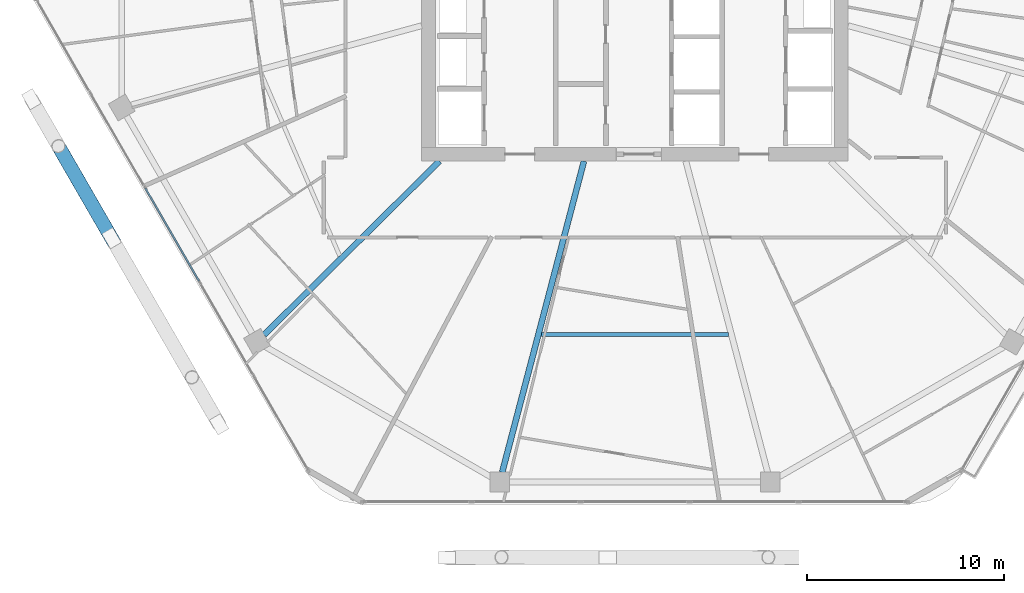
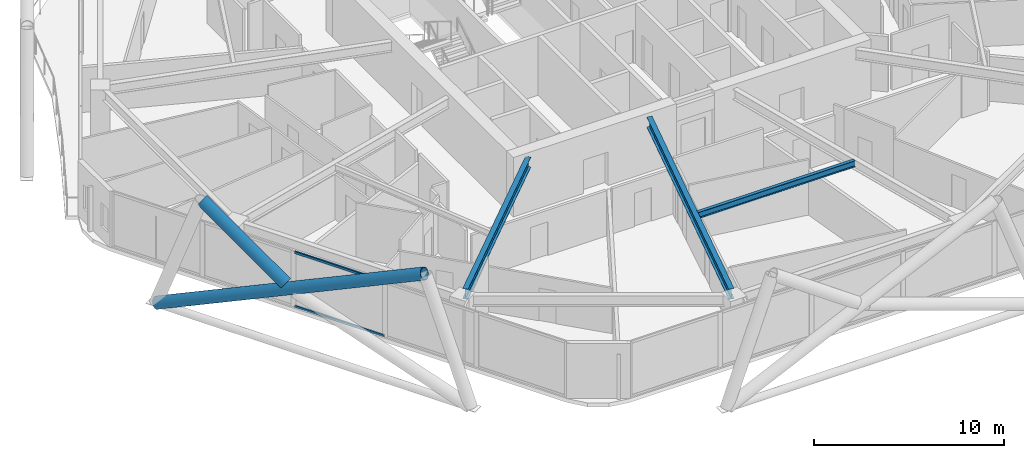
# One storey, part 5 of 30: 4 members, 3 beams, 1 element without a shape of its own.
"""IFC4 building model written with IfcOpenShell, lengths in metres."""

from ifc_helpers import new_model, si_unit, direction, frame, origin, origin_2d, place, context, subcontext, project, spatial, hollow_rectangle, hollow_circle, i_section, extrude, material, material_profile, profile_set, type_object, element, aggregate, save


model = new_model("IFC4")

# Units and contexts
model_context = context("Model", 3, precision=1e-05, world=origin(), true_north=direction((0.0, 1.0)))
body_context = subcontext(model_context, "Body", "Model", "MODEL_VIEW")
ifc_project = project(units=[si_unit("LENGTHUNIT", "METRE"), si_unit("AREAUNIT", "SQUARE_METRE"), si_unit("VOLUMEUNIT", "CUBIC_METRE"), si_unit("PLANEANGLEUNIT", "RADIAN"), si_unit("MASSUNIT", "GRAM", prefix="KILO")], contexts=[model_context])

# Site, building, storey
site_placement = place(None, origin())
site = spatial("IfcSite", under=ifc_project, at=site_placement, CompositionType="ELEMENT")
building_placement = place(site_placement, origin())
building = spatial("IfcBuilding", under=site, at=building_placement, Name="Zuhravey Tower", CompositionType="ELEMENT")
storey_placement = place(building_placement, frame((0.0, 0.0, 177.0)))
storey = spatial("IfcBuildingStorey", under=building, at=storey_placement, Name="L44", CompositionType="ELEMENT", Elevation=177.0)

# Curtain wall, members
ifc_material_1 = material(Name="Thermally broken anodised aluminium", Category="aluminium")
curtain_wall_type = type_object("IfcCurtainWallType", Name="Zone 1-2 Residential Curtain Wall CW3", PredefinedType="NOTDEFINED", material=ifc_material_1)
curtain_wall_placement = place(storey_placement, origin())
curtain_wall = element("IfcCurtainWall", 1, at=curtain_wall_placement, inside=storey, type_object=curtain_wall_type, Name="L44 CW3 CW-L44-F4-1", PredefinedType="NOTDEFINED")
ifc_material_2 = material(Name="Anodised aluminium", Category="aluminium")
ifc_material_profile_1 = material_profile(ifc_material_2, hollow_rectangle(XDim=0.090087890625, YDim=0.14990234375, WallThickness=0.0048828125, at=origin_2d()), Name="ALU-RHS-90x150x5")
ifc_profile_set_1 = profile_set([ifc_material_profile_1], Name="Anodised aluminium")
member_type_1 = type_object("IfcMemberType", Name="Curtain-Wall Transom 90x150", PredefinedType="USERDEFINED", material=ifc_profile_set_1)
member_1_placement = place(storey_placement, frame((13.822265625, 16.046630859375, 0.044921875), z_axis=(-0.499980763544, 0.866036509673, 0.0), x_axis=(-0.866036509673, -0.499980763544, 0.0)))
member_1 = element("IfcMember", 2, at=member_1_placement, type_object=member_type_1, Name="CW3 transom 3.1", ObjectType="TRANSOM", PredefinedType="USERDEFINED", context=body_context, shape_type="SweptSolid", body=[
    extrude(hollow_rectangle(XDim=0.090087890625, YDim=0.14990234375, WallThickness=0.0048828125, at=origin_2d()), origin(), (0.0, 0.0, 1.0), 5.454345703125),
])
member_2_placement = place(storey_placement, frame((13.822265625, 16.046630859375, 3.5048828125), z_axis=(-0.499980763544, 0.866036509673, 0.0), x_axis=(-0.866036509673, -0.499980763544, 0.0)))
member_2 = element("IfcMember", 3, at=member_2_placement, type_object=member_type_1, Name="CW3 transom 3.2", ObjectType="TRANSOM", PredefinedType="USERDEFINED", context=body_context, shape_type="SweptSolid", body=[
    extrude(hollow_rectangle(XDim=0.090087890625, YDim=0.14990234375, WallThickness=0.0048828125, at=origin_2d()), origin(), (0.0, 0.0, 1.0), 5.454345703125),
])
aggregate(curtain_wall, [member_1, member_2])

# Members
ifc_material_3 = material(Name="Steel SM460", Category="steel")
ifc_material_profile_2 = material_profile(ifc_material_3, hollow_circle(Radius=0.355712890625, WallThickness=0.031982421875, at=origin_2d()), Name="CHS-711.2x32")
ifc_profile_set_2 = profile_set([ifc_material_profile_2], Name="Steel SM460")
member_type_2 = type_object("IfcMemberType", Name="Exoskeleton Zone 2 Diagrid CHS711x32", PredefinedType="BRACE", material=ifc_profile_set_2)
member_3_placement = place(storey_placement, frame((5.3125, 25.26611328125, -0.444091796875), z_axis=(0.453338388553, -0.785209877744, 0.421817203724), x_axis=(0.866026715089, 0.499997728747, 0.0)))
element("IfcMember", 4, at=member_3_placement, inside=storey, type_object=member_type_2, Name="L44 Face 4 Diagrid Brace 2", PredefinedType="BRACE", context=body_context, shape_type="SweptSolid", body=[
    extrude(hollow_circle(Radius=0.355712890625, WallThickness=0.031982421875, at=origin_2d()), origin(), (0.0, 0.0, 1.0), 17.922607421875),
])
member_4_placement = place(storey_placement, frame((9.23388671875, 18.47412109375, 3.534912109375), z_axis=(-0.408775424455, 0.70798015044, 0.575905164887), x_axis=(-0.866013277291, -0.500021003115, 0.0)))
element("IfcMember", 5, at=member_4_placement, inside=storey, type_object=member_type_2, Name="L44 Face 4 Split Diagrid Brace 3B", PredefinedType="BRACE", context=body_context, shape_type="SweptSolid", body=[
    extrude(hollow_circle(Radius=0.355712890625, WallThickness=0.031982421875, at=origin_2d()), origin(), (0.0, 0.0, 1.0), 6.205322265625),
])

# Beams
ifc_material_4 = material(Name="Steel SM355", Category="steel")
ifc_material_profile_3 = material_profile(ifc_material_4, i_section(OverallWidth=0.300048828125, OverallDepth=0.64990234375, WebThickness=0.012939453125, FlangeThickness=0.02197265625, at=origin_2d()), Name="H-650x300x13x22")
ifc_profile_set_3 = profile_set([ifc_material_profile_3], Name="Steel SM355")
beam_type_1 = type_object("IfcBeamType", Name="Radial Primary Girder H650x300", PredefinedType="BEAM", material=ifc_profile_set_3)
beam_1_placement = place(storey_placement, frame((26.054443359375, 22.14697265625, 3.22509765625), z_axis=(-0.71040353357, -0.703794586148, 0.0), x_axis=(0.703794586148, -0.71040353357, 0.0)))
element("IfcBeam", 6, at=beam_1_placement, inside=storey, type_object=beam_type_1, Name="L44 RG2 BM-L44-RAD-08", PredefinedType="BEAM", context=body_context, shape_type="SweptSolid", body=[
    extrude(i_section(OverallWidth=0.300048828125, OverallDepth=0.64990234375, WebThickness=0.012939453125, FlangeThickness=0.02197265625, at=origin_2d()), origin(), (0.0, 0.0, 1.0), 12.559814453125),
])
beam_2_placement = place(storey_placement, frame((33.4091796875, 22.14697265625, 3.22509765625), z_axis=(-0.254300244998, -0.967125320418, 0.0), x_axis=(0.967125320418, -0.254300244998, 0.0)))
element("IfcBeam", 7, at=beam_2_placement, inside=storey, type_object=beam_type_1, Name="L44 RG2 BM-L44-RAD-09", PredefinedType="BEAM", context=body_context, shape_type="SweptSolid", body=[
    extrude(i_section(OverallWidth=0.300048828125, OverallDepth=0.64990234375, WebThickness=0.012939453125, FlangeThickness=0.02197265625, at=origin_2d()), origin(), (0.0, 0.0, 1.0), 16.371826171875),
])
ifc_material_profile_4 = material_profile(ifc_material_4, i_section(OverallWidth=0.199951171875, OverallDepth=0.39990234375, WebThickness=0.008056640625, FlangeThickness=0.012939453125, at=origin_2d()), Name="H-400x200x8x13")
ifc_profile_set_4 = profile_set([ifc_material_profile_4], Name="Steel SM355")
beam_type_2 = type_object("IfcBeamType", Name="Secondary Floor Joist H400x200", PredefinedType="JOIST", material=ifc_profile_set_4)
beam_3_placement = place(storey_placement, frame((31.245849609375, 13.334228515625, 3.35009765625), z_axis=(1.0, 0.0, 0.0), x_axis=(0.0, 1.0, 0.0)))
element("IfcBeam", 8, at=beam_3_placement, inside=storey, type_object=beam_type_2, Name="L44 SJ2 BM-L44-SJ-09-1", PredefinedType="JOIST", context=body_context, shape_type="SweptSolid", body=[
    extrude(i_section(OverallWidth=0.199951171875, OverallDepth=0.39990234375, WebThickness=0.008056640625, FlangeThickness=0.012939453125, at=origin_2d()), origin(), (0.0, 0.0, 1.0), 9.50830078125),
])

save(model, "model.ifc")
